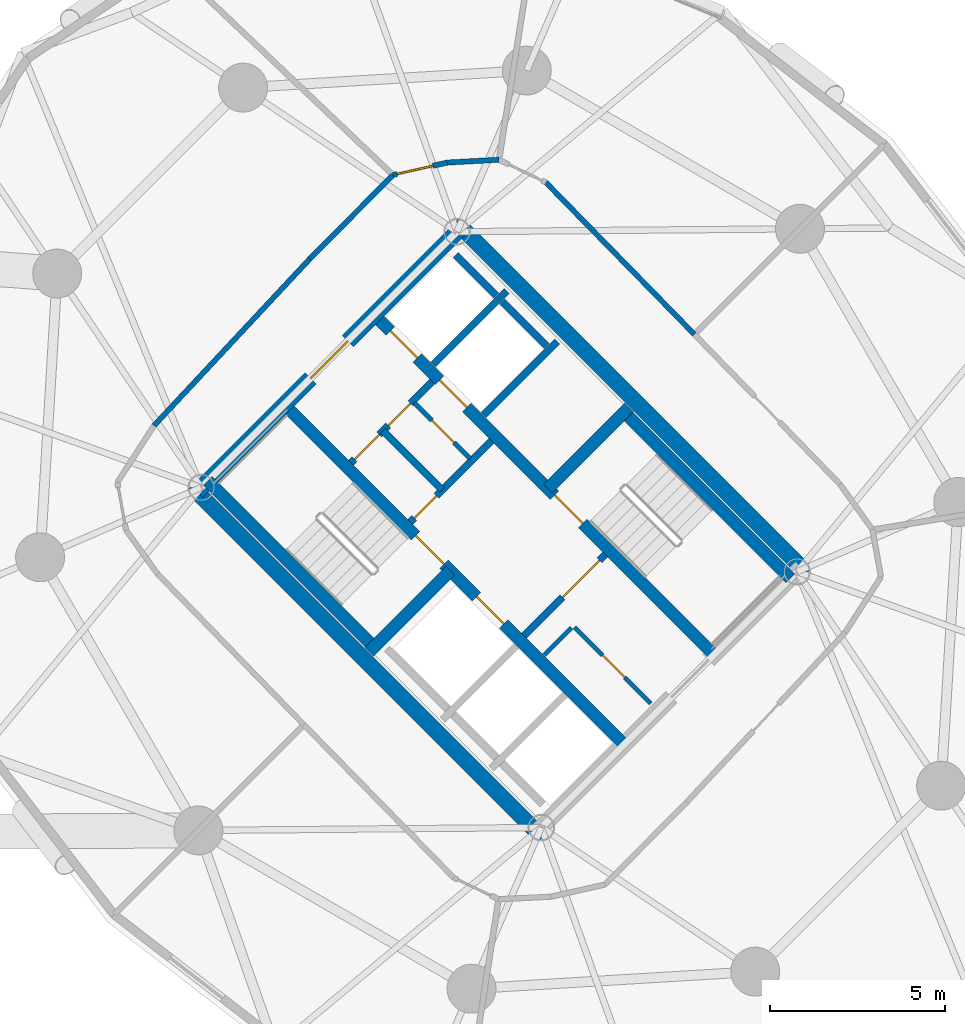
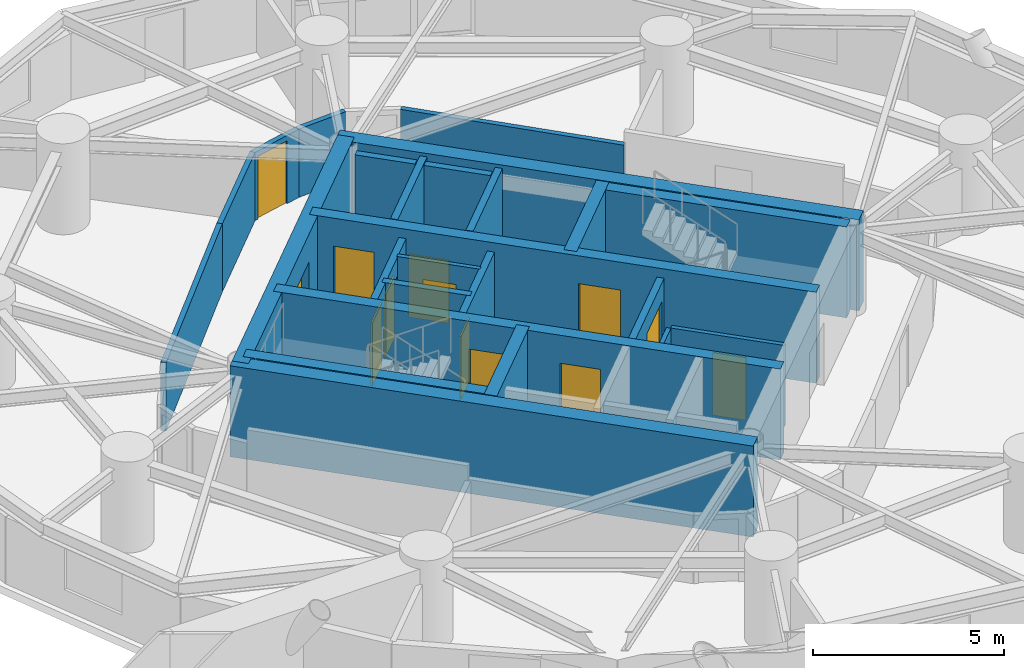
# One storey, part 13 of 18: 25 walls, 13 doors, 13 openings.
"""IFC4 building model written with IfcOpenShell, lengths in metres."""

import ifcopenshell
import ifcopenshell.guid

model = None  # the IFC model being written
_history = None  # IfcOwnerHistory: only IFC2X3 demands one
_inside = {}  # id of a spatial element -> (the spatial element, [elements in it])
_under = {}  # id of a project, library or spatial element -> (it, [spatial elements below it])
_declared = {}  # id of a project -> (the project, [libraries it declares])
_typed = {}  # id of a type object -> (the type object, [elements of that type])
_made_of = {}  # id of a material, layer set ... -> (it, [elements and type objects made of it])


def new_model(schema):
    """Start an empty IFC model of exactly this schema.

    Asked for "IFC4X3", IfcOpenShell would pick the latest addendum, in which some entities
    have other attributes; the version numbers below select the first issue.
    IFC2X3 requires an IfcOwnerHistory on every rooted entity: one is made here for all.
    """
    global model, _history
    if schema == "IFC4X3":
        model = ifcopenshell.file(schema_version=(4, 3, 0, 0))
    else:
        model = ifcopenshell.file(schema=schema)
    _inside.clear()
    _under.clear()
    _declared.clear()
    _typed.clear()
    _made_of.clear()
    _history = None
    if model.schema == "IFC2X3":
        org = make("IfcOrganization", Name="unknown")
        user = make(
            "IfcPersonAndOrganization",
            ThePerson=make("IfcPerson", FamilyName="unknown"),
            TheOrganization=org,
        )
        app = make(
            "IfcApplication",
            ApplicationDeveloper=org,
            Version="unknown",
            ApplicationFullName="unknown",
            ApplicationIdentifier="unknown",
        )
        _history = make(
            "IfcOwnerHistory",
            OwningUser=user,
            OwningApplication=app,
            ChangeAction="ADDED",
            CreationDate=0,
        )
    return model


def make(cls, **values):
    """One entity of the class cls with the attributes given. An attribute that is None is left unset."""
    return model.create_entity(
        cls, **{name: value for name, value in values.items() if value is not None}
    )


def rooted(cls, **values):
    """An entity with a GlobalId (a new one), such as an element, a storey or a relation."""
    return make(cls, GlobalId=ifcopenshell.guid.new(), OwnerHistory=_history, **values)


def si_unit(unit_type, name, prefix=None):
    """IfcSIUnit, for example si_unit("LENGTHUNIT", "METRE", prefix="MILLI")."""
    return make("IfcSIUnit", UnitType=unit_type, Prefix=prefix, Name=name)


def assignment(units):
    """IfcUnitAssignment: the units of a project."""
    return None if units is None else make("IfcUnitAssignment", Units=units)


def point(xyz):
    """IfcCartesianPoint."""
    return None if xyz is None else make("IfcCartesianPoint", Coordinates=xyz)


def direction(xyz):
    """IfcDirection."""
    return None if xyz is None else make("IfcDirection", DirectionRatios=xyz)


def frame(location, z_axis=None, x_axis=None):
    """IfcAxis2Placement3D, a coordinate frame: its origin and axes. An axis left out is left unset."""
    return make(
        "IfcAxis2Placement3D",
        Location=point(location),
        Axis=direction(z_axis),
        RefDirection=direction(x_axis),
    )


def frame_2d(location, x_axis=None):
    """IfcAxis2Placement2D, a coordinate frame in the plane: its origin and x axis."""
    return make(
        "IfcAxis2Placement2D", Location=point(location), RefDirection=direction(x_axis)
    )


def origin():
    """The frame at (0, 0, 0) with its axes left unset."""
    return frame((0.0, 0.0, 0.0))


def place(relative_to, where):
    """IfcLocalPlacement: puts the frame where relative to a parent placement (None: the world)."""
    return make(
        "IfcLocalPlacement", PlacementRelTo=relative_to, RelativePlacement=where
    )


def context(
    kind, dimensions, precision=None, world=None, true_north=None, identifier=None
):
    """IfcGeometricRepresentationContext, for example the 3D "Model" context."""
    return make(
        "IfcGeometricRepresentationContext",
        ContextIdentifier=identifier,
        ContextType=kind,
        CoordinateSpaceDimension=dimensions,
        Precision=precision,
        WorldCoordinateSystem=world,
        TrueNorth=true_north,
    )


def subcontext(parent, identifier, kind, view, scale=None):
    """IfcGeometricRepresentationSubContext, for example "Body" below "Model"."""
    return make(
        "IfcGeometricRepresentationSubContext",
        ContextIdentifier=identifier,
        ContextType=kind,
        ParentContext=parent,
        TargetScale=scale,
        TargetView=view,
    )


def project(units=None, contexts=None):
    """IfcProject with its units and contexts."""
    return rooted(
        "IfcProject",
        Name="project",
        RepresentationContexts=contexts,
        UnitsInContext=assignment(units),
    )


def spatial(cls, under=None, at=None, **own):
    """A site, building, storey or space (cls), placed at a placement, below another one or the project."""
    s = rooted(cls, ObjectPlacement=at, **own)
    if under is not None:
        _under.setdefault(under.id(), (under, []))[1].append(s)
    return s


def profile(cls, at=None, kind="AREA", **sizes):
    """A parametric profile (cls). Its sizes go by their IFC names, for example OverallWidth=200.0."""
    return make(cls, ProfileType=kind, Position=at, **sizes)


def rectangle(**sizes):
    """IfcRectangleProfileDef."""
    return profile("IfcRectangleProfileDef", **sizes)


def extrude(swept, where, along, depth):
    """IfcExtrudedAreaSolid: the profile swept, set in the frame where, extruded along a direction by depth."""
    return make(
        "IfcExtrudedAreaSolid",
        SweptArea=swept,
        Position=where,
        ExtrudedDirection=direction(along),
        Depth=depth,
    )


def shape(context_of_items, identifier, shape_type, items):
    """IfcShapeRepresentation: the items that make up one representation, for example the "Body"."""
    return make(
        "IfcShapeRepresentation",
        ContextOfItems=context_of_items,
        RepresentationIdentifier=identifier,
        RepresentationType=shape_type,
        Items=items,
    )


def source(mapping_origin, context_of_items, identifier, shape_type, items):
    """IfcRepresentationMap: a shape defined once, which mapped items show again and again."""
    return make(
        "IfcRepresentationMap",
        MappingOrigin=mapping_origin,
        MappedRepresentation=shape(context_of_items, identifier, shape_type, items),
    )


def transform(
    local_origin,
    x_axis=None,
    y_axis=None,
    z_axis=None,
    scale=None,
    scale2=None,
    scale3=None,
    uniform=True,
):
    """IfcCartesianTransformationOperator3D, or its non-uniform kind. x_axis, y_axis, z_axis: its Axis1, 2, 3."""
    if uniform:
        return make(
            "IfcCartesianTransformationOperator3D",
            Axis1=direction(x_axis),
            Axis2=direction(y_axis),
            LocalOrigin=point(local_origin),
            Scale=scale,
            Axis3=direction(z_axis),
        )
    return make(
        "IfcCartesianTransformationOperator3DnonUniform",
        Axis1=direction(x_axis),
        Axis2=direction(y_axis),
        LocalOrigin=point(local_origin),
        Scale=scale,
        Axis3=direction(z_axis),
        Scale2=scale2,
        Scale3=scale3,
    )


def mapped(mapping_source, mapping_target):
    """IfcMappedItem: shows the shape of a source again, moved by a transform."""
    return make(
        "IfcMappedItem", MappingSource=mapping_source, MappingTarget=mapping_target
    )


def material(Name=None, Category=None):
    """IfcMaterial."""
    return make("IfcMaterial", Name=Name, Category=Category)


def layer(
    of_material, thickness, ventilated=None, Name=None, Category=None, Priority=None
):
    """IfcMaterialLayer: one layer of a wall or slab, of a material (None: an air gap)."""
    return make(
        "IfcMaterialLayer",
        Material=of_material,
        LayerThickness=thickness,
        IsVentilated=ventilated,
        Name=Name,
        Category=Category,
        Priority=Priority,
    )


def layer_set(layers, Name=None):
    """IfcMaterialLayerSet."""
    return make("IfcMaterialLayerSet", MaterialLayers=layers, LayerSetName=Name)


def made_of(thing, what):
    """Note that an element or type object is made of a material, layer set ...; save() writes the relation."""
    if what is not None:
        _made_of.setdefault(what.id(), (what, []))[1].append(thing)
    return thing


def type_object(cls, material=None, **own):
    """A type object (cls), such as IfcWallType, which elements share."""
    return made_of(rooted(cls, **own), material)


def element(
    cls,
    number,
    at=None,
    inside=None,
    cuts=None,
    type_object=None,
    material=None,
    context=None,
    identifier="Body",
    shape_type=None,
    held_by="IfcProductDefinitionShape",
    body=None,
    shapes=None,
    **own,
):
    """One element of the class cls, such as IfcWall. Its Tag is "e" and its number.

    at: its placement. inside: the storey or other place that contains it. cuts: it is an
    opening in that element (IfcRelVoidsElement). A single representation is given by context,
    identifier, shape_type and body (its items); several are given by shapes. held_by: the class
    of the entity that holds the representations. save() writes the other relations.
    """
    e = rooted(cls, Tag="e%d" % number, ObjectPlacement=at, **own)
    if body is not None:
        shapes = [shape(context, identifier, shape_type, body)]
    if shapes is not None:
        e.Representation = make(held_by, Representations=shapes)
    if inside is not None:
        _inside.setdefault(inside.id(), (inside, []))[1].append(e)
    if cuts is not None:
        rooted(
            "IfcRelVoidsElement", RelatingBuildingElement=cuts, RelatedOpeningElement=e
        )
    if type_object is not None:
        _typed.setdefault(type_object.id(), (type_object, []))[1].append(e)
    return made_of(e, material)


def fill(opening, filler):
    """IfcRelFillsElement: the door or window that sits in an opening."""
    return rooted(
        "IfcRelFillsElement",
        RelatingOpeningElement=opening,
        RelatedBuildingElement=filler,
    )


def aggregate(whole, parts):
    """IfcRelAggregates: a whole, such as a stair, and the parts it consists of."""
    return rooted("IfcRelAggregates", RelatingObject=whole, RelatedObjects=parts)


def save(model, path):
    """Write the relations noted so far, then the file.

    IfcRelAggregates (storeys below a building ...), IfcRelContainedInSpatialStructure (elements
    in a storey), IfcRelDefinesByType, IfcRelAssociatesMaterial and IfcRelDeclares: one each for
    every whole, place, type object, material and project.
    """
    for whole, parts in _under.values():
        aggregate(whole, parts)
    for where, things in _inside.values():
        rooted(
            "IfcRelContainedInSpatialStructure",
            RelatedElements=things,
            RelatingStructure=where,
        )
    for kind, things in _typed.values():
        rooted("IfcRelDefinesByType", RelatedObjects=things, RelatingType=kind)
    for what, things in _made_of.values():
        rooted("IfcRelAssociatesMaterial", RelatedObjects=things, RelatingMaterial=what)
    for by, libraries in _declared.values():
        rooted("IfcRelDeclares", RelatingContext=by, RelatedDefinitions=libraries)
    model.write(path)


model = new_model("IFC4")

# Units and contexts
model_context = context("Model", 3, precision=1e-05, world=origin(), true_north=direction((0.0, 1.0)))
body_context = subcontext(model_context, "Body", "Model", "MODEL_VIEW")
ifc_project = project(units=[si_unit("LENGTHUNIT", "METRE"), si_unit("AREAUNIT", "SQUARE_METRE"), si_unit("VOLUMEUNIT", "CUBIC_METRE"), si_unit("PLANEANGLEUNIT", "RADIAN"), si_unit("MASSUNIT", "GRAM", prefix="KILO")], contexts=[model_context])

# Site, building, storey
site_placement = place(None, origin())
site = spatial("IfcSite", under=ifc_project, at=site_placement, CompositionType="ELEMENT")
building_placement = place(site_placement, origin())
building = spatial("IfcBuilding", under=site, at=building_placement, Name="Cununo Teusaquillo Station Towers", CompositionType="ELEMENT")
storey_placement = place(building_placement, frame((0.0, 0.0, 122.530029296875)))
storey = spatial("IfcBuildingStorey", under=building, at=storey_placement, Name="L39", CompositionType="ELEMENT", Elevation=122.530029296875)

# Walls
ifc_material_1 = material(Name="Concrete C50/60", Category="concrete")
ifc_layer_1 = layer(ifc_material_1, 0.199951171875)
ifc_layer_set_1 = layer_set([ifc_layer_1], Name="Concrete C50/60")
wall_type_1 = type_object("IfcWallType", Name="WL-CORE-200", PredefinedType="SHEAR", material=ifc_layer_set_1)
wall_1_placement = place(storey_placement, frame((57.0615234375, 27.781005859375, 0.0), z_axis=(0.0, 0.0, 1.0), x_axis=(0.707106781187, 0.707106781187, 0.0)))
element("IfcWall", 1, at=wall_1_placement, inside=storey, type_object=wall_type_1, Name="L39 Tower B Low-Rise Lift Hoistway South Shear Wall", PredefinedType="SHEAR", context=body_context, shape_type="SweptSolid", body=[
    extrude(rectangle(XDim=2.969970703125, YDim=0.199951171875, at=frame_2d((1.48486328125, 0.0))), origin(), (0.0, 0.0, 1.0), 2.909912109375),
])
wall_2_placement = place(storey_placement, frame((55.615478515625, 29.22705078125, 0.0), z_axis=(0.0, 0.0, 1.0), x_axis=(0.707147878904, 0.70706568108, 0.0)))
element("IfcWall", 2, at=wall_2_placement, inside=storey, type_object=wall_type_1, Name="L39 Tower B Low-Rise Lift Hoistway Divider Shear Wall", PredefinedType="SHEAR", context=body_context, shape_type="SweptSolid", body=[
    extrude(rectangle(XDim=2.97021484375, YDim=0.199951171875, at=frame_2d((1.485107421875, 0.0))), origin(), (0.0, 0.0, 1.0), 2.909912109375),
])
wall_3_placement = place(storey_placement, frame((58.86474609375, 29.75390625, 0.0), z_axis=(0.0, 0.0, 1.0), x_axis=(-0.707174411312, 0.707039144592, 0.0)))
element("IfcWall", 3, at=wall_3_placement, inside=storey, type_object=wall_type_1, Name="L39 Tower B Low-Rise Lift 1 Shaft Rear Shear Wall", PredefinedType="SHEAR", context=body_context, shape_type="SweptSolid", body=[
    extrude(rectangle(XDim=1.804931640625, YDim=0.199951171875, at=frame_2d((0.90234375, 0.0))), origin(), (0.0, 0.0, 1.0), 2.909912109375),
])
wall_4_placement = place(storey_placement, frame((57.418701171875, 31.19970703125, 0.0), z_axis=(0.0, 0.0, 1.0), x_axis=(-0.707032117043, 0.707181437447, 0.0)))
element("IfcWall", 4, at=wall_4_placement, inside=storey, type_object=wall_type_1, Name="L39 Tower B Low-Rise Lift 2 Shaft Rear Shear Wall", PredefinedType="SHEAR", context=body_context, shape_type="SweptSolid", body=[
    extrude(rectangle(XDim=1.635009765625, YDim=0.199951171875, at=frame_2d((0.8173828125, 0.0))), origin(), (0.0, 0.0, 1.0), 2.909912109375),
])

# Wall, openings, doors
ifc_material_2 = material(Name="Concrete C50/60", Category="concrete")
ifc_layer_2 = layer(ifc_material_2, 0.35009765625)
ifc_layer_set_2 = layer_set([ifc_layer_2], Name="Concrete C50/60")
wall_type_2 = type_object("IfcWallType", Name="WL-CORE-350", PredefinedType="SHEAR", material=ifc_layer_set_2)
wall_5_placement = place(storey_placement, frame((61.077880859375, 18.355224609375, 0.0), z_axis=(0.0, 0.0, 1.0), x_axis=(-0.707106781187, 0.707106781187, 0.0)))
wall_5 = element("IfcWall", 5, at=wall_5_placement, inside=storey, type_object=wall_type_2, Name="L39 Tower B Core Shear Wall IW", PredefinedType="SHEAR", context=body_context, shape_type="SweptSolid", body=[
    extrude(rectangle(XDim=13.75, YDim=0.35009765625, at=frame_2d((6.875, 0.0))), origin(), (0.0, 0.0, 1.0), 2.909912109375),
])
shared_shape_1 = source(origin(), body_context, "Body", "SweptSolid", [
    extrude(rectangle(XDim=1.10009765625, YDim=2.014892578125, at=frame_2d((0.550048828125, 1.00732421875))), frame((0.0, 0.18505859375, 0.0), z_axis=(0.0, -1.0, 0.0), x_axis=(1.0, 0.0, 0.0)), (0.0, 0.0, 1.0), 0.3701171875),
])
opening_1_placement = place(wall_5_placement, frame((4.875, 0.0, 0.0)))
opening_1 = element("IfcOpeningElement", 6, at=opening_1_placement, cuts=wall_5, Name="Opening LD-01", PredefinedType="OPENING", context=body_context, shape_type="MappedRepresentation", body=[
    mapped(shared_shape_1, transform((0.0, 0.0, 0.0), x_axis=(1.0, 0.0, 0.0), y_axis=(0.0, 1.0, 0.0), z_axis=(0.0, 0.0, 1.0), scale=1.0)),
])
shared_shape_2 = source(origin(), body_context, "Body", "SweptSolid", [
    extrude(rectangle(XDim=1.14990234375, YDim=2.02001953125, at=frame_2d((0.574951171875, 1.010009765625))), frame((0.0, 0.18505859375, 0.0), z_axis=(0.0, -1.0, 0.0), x_axis=(1.0, 0.0, 0.0)), (0.0, 0.0, 1.0), 0.3701171875),
])
opening_2_placement = place(wall_5_placement, frame((7.294921875, 0.0, 0.0)))
opening_2 = element("IfcOpeningElement", 7, at=opening_2_placement, cuts=wall_5, Name="Opening D-ST1", PredefinedType="OPENING", context=body_context, shape_type="MappedRepresentation", body=[
    mapped(shared_shape_2, transform((0.0, 0.0, 0.0), x_axis=(1.0, 0.0, 0.0), y_axis=(0.0, 1.0, 0.0), z_axis=(0.0, 0.0, 1.0), scale=1.0)),
])
ifc_material_3 = material(Name="Galvanised fire-rated hollow steel door assembly", Category="steel")
door_type_1 = type_object("IfcDoorType", Name="DR-LIFT-1100", OperationType="SLIDING_TO_LEFT", PredefinedType="DOOR", material=ifc_material_3)
shared_shape_3 = source(origin(), body_context, "Body", "SweptSolid", [
    extrude(rectangle(XDim=1.10009765625, YDim=2.014892578125, at=frame_2d((0.550048828125, 1.00732421875))), frame((0.0, 0.02490234375, 0.0), z_axis=(0.0, -1.0, 0.0), x_axis=(1.0, 0.0, 0.0)), (0.0, 0.0, 1.0), 0.050048828125),
])
door_1_placement = place(opening_1_placement, origin())
door_1 = element("IfcDoor", 8, at=door_1_placement, inside=storey, type_object=door_type_1, Name="L39 Lift FL-T2 Sliding Landing Door", OperationType="SLIDING_TO_LEFT", OverallHeight=2.014892578125, OverallWidth=1.10009765625, PredefinedType="DOOR", context=body_context, shape_type="MappedRepresentation", body=[
    mapped(shared_shape_3, transform((0.0, 0.0, 0.0), x_axis=(1.0, 0.0, 0.0), y_axis=(0.0, 1.0, 0.0), z_axis=(0.0, 0.0, 1.0), scale=1.0)),
])
fill(opening_1, door_1)
ifc_material_4 = material(Name="Galvanised fire-rated hollow steel door assembly", Category="steel")
door_type_2 = type_object("IfcDoorType", Name="DR-STAIR-1150", OperationType="NOTDEFINED", PredefinedType="DOOR", material=ifc_material_4)
shared_shape_4 = source(origin(), body_context, "Body", "SweptSolid", [
    extrude(rectangle(XDim=1.14990234375, YDim=2.02001953125, at=frame_2d((0.574951171875, 1.010009765625))), frame((0.0, 0.02490234375, 0.0), z_axis=(0.0, -1.0, 0.0), x_axis=(1.0, 0.0, 0.0)), (0.0, 0.0, 1.0), 0.050048828125),
])
door_2_placement = place(opening_2_placement, origin())
door_2 = element("IfcDoor", 9, at=door_2_placement, inside=storey, type_object=door_type_2, Name="L39 Tower B Exit Stair 1 Fire Door", OperationType="SINGLE_SWING_LEFT", OverallHeight=2.02001953125, OverallWidth=1.14990234375, PredefinedType="DOOR", context=body_context, shape_type="MappedRepresentation", body=[
    mapped(shared_shape_4, transform((0.0, 0.0, 0.0), x_axis=(1.0, 0.0, 0.0), y_axis=(0.0, 1.0, 0.0), z_axis=(0.0, 0.0, 1.0), scale=1.0)),
])
fill(opening_2, door_2)

wall_6_placement = place(storey_placement, frame((63.644775390625, 20.922119140625, 0.0), z_axis=(0.0, 0.0, 1.0), x_axis=(-0.707106781187, 0.707106781187, 0.0)))
wall_6 = element("IfcWall", 10, at=wall_6_placement, inside=storey, type_object=wall_type_2, Name="L39 Tower B Core Shear Wall IE", PredefinedType="SHEAR", context=body_context, shape_type="SweptSolid", body=[
    extrude(rectangle(XDim=13.75, YDim=0.35009765625, at=frame_2d((6.875, 0.0))), origin(), (0.0, 0.0, 1.0), 2.909912109375),
])
opening_3_placement = place(wall_6_placement, frame((10.0, 0.0, 0.0)))
opening_3 = element("IfcOpeningElement", 11, at=opening_3_placement, cuts=wall_6, Name="Opening LD-01", PredefinedType="OPENING", context=body_context, shape_type="MappedRepresentation", body=[
    mapped(shared_shape_1, transform((0.0, 0.0, 0.0), x_axis=(1.0, 0.0, 0.0), y_axis=(0.0, 1.0, 0.0), z_axis=(0.0, 0.0, 1.0), scale=1.0)),
])
opening_4_placement = place(wall_6_placement, frame((12.0, 0.0, 0.0)))
opening_4 = element("IfcOpeningElement", 12, at=opening_4_placement, cuts=wall_6, Name="Opening LD-01", PredefinedType="OPENING", context=body_context, shape_type="MappedRepresentation", body=[
    mapped(shared_shape_1, transform((0.0, 0.0, 0.0), x_axis=(1.0, 0.0, 0.0), y_axis=(0.0, 1.0, 0.0), z_axis=(0.0, 0.0, 1.0), scale=1.0)),
])
opening_5_placement = place(wall_6_placement, frame((5.304931640625, 0.0, 0.0)))
opening_5 = element("IfcOpeningElement", 13, at=opening_5_placement, cuts=wall_6, Name="Opening D-ST1", PredefinedType="OPENING", context=body_context, shape_type="MappedRepresentation", body=[
    mapped(shared_shape_2, transform((0.0, 0.0, 0.0), x_axis=(1.0, 0.0, 0.0), y_axis=(0.0, 1.0, 0.0), z_axis=(0.0, 0.0, 1.0), scale=1.0)),
])
door_3_placement = place(opening_3_placement, origin())
door_3 = element("IfcDoor", 14, at=door_3_placement, inside=storey, type_object=door_type_1, Name="L39 Lift PL-T2-L1 Sliding Landing Door", OperationType="SLIDING_TO_LEFT", OverallHeight=2.014892578125, OverallWidth=1.10009765625, PredefinedType="DOOR", context=body_context, shape_type="MappedRepresentation", body=[
    mapped(shared_shape_3, transform((0.0, 0.0, 0.0), x_axis=(1.0, 0.0, 0.0), y_axis=(0.0, 1.0, 0.0), z_axis=(0.0, 0.0, 1.0), scale=1.0)),
])
fill(opening_3, door_3)
door_4_placement = place(opening_4_placement, origin())
door_4 = element("IfcDoor", 15, at=door_4_placement, inside=storey, type_object=door_type_1, Name="L39 Lift PL-T2-L2 Sliding Landing Door", OperationType="SLIDING_TO_RIGHT", OverallHeight=2.014892578125, OverallWidth=1.10009765625, PredefinedType="DOOR", context=body_context, shape_type="MappedRepresentation", body=[
    mapped(shared_shape_3, transform((0.0, 0.0, 0.0), x_axis=(1.0, 0.0, 0.0), y_axis=(0.0, 1.0, 0.0), z_axis=(0.0, 0.0, 1.0), scale=1.0)),
])
fill(opening_4, door_4)
door_5_placement = place(opening_5_placement, origin())
door_5 = element("IfcDoor", 16, at=door_5_placement, inside=storey, type_object=door_type_2, Name="L39 Tower B Exit Stair 2 Fire Door", OperationType="SINGLE_SWING_RIGHT", OverallHeight=2.02001953125, OverallWidth=1.14990234375, PredefinedType="DOOR", context=body_context, shape_type="MappedRepresentation", body=[
    mapped(shared_shape_4, transform((0.0, 0.0, 0.0), x_axis=(1.0, 0.0, 0.0), y_axis=(0.0, 1.0, 0.0), z_axis=(0.0, 0.0, 1.0), scale=1.0)),
])
fill(opening_5, door_5)

# Walls
wall_7_placement = place(storey_placement, frame((53.922119140625, 21.14111328125, 0.0), z_axis=(0.0, 0.0, 1.0), x_axis=(-0.707088616009, 0.707124945897, 0.0)))
element("IfcWall", 17, at=wall_7_placement, inside=storey, type_object=wall_type_2, Name="L39 Tower B Core Shear Wall ST1W", PredefinedType="SHEAR", context=body_context, shape_type="SweptSolid", body=[
    extrude(rectangle(XDim=6.72021484375, YDim=0.35009765625, at=frame_2d((3.360107421875, 0.0))), origin(), (0.0, 0.0, 1.0), 2.909912109375),
])
wall_8_placement = place(storey_placement, frame((53.7841796875, 21.00341796875, 0.0), z_axis=(0.0, 0.0, 1.0), x_axis=(0.707106781187, 0.707106781187, 0.0)))
element("IfcWall", 18, at=wall_8_placement, inside=storey, type_object=wall_type_2, Name="L39 Tower B Core Shear Wall ST1S", PredefinedType="SHEAR", context=body_context, shape_type="SweptSolid", body=[
    extrude(rectangle(XDim=3.284912109375, YDim=0.35009765625, at=frame_2d((1.642578125, 0.0))), origin(), (0.0, 0.0, 1.0), 2.909912109375),
])
wall_9_placement = place(storey_placement, frame((65.82958984375, 23.10693359375, 0.0), z_axis=(0.0, 0.0, 1.0), x_axis=(-0.707088616009, 0.707124945897, 0.0)))
element("IfcWall", 19, at=wall_9_placement, inside=storey, type_object=wall_type_2, Name="L39 Tower B Core Shear Wall ST2E", PredefinedType="SHEAR", context=body_context, shape_type="SweptSolid", body=[
    extrude(rectangle(XDim=6.72021484375, YDim=0.35009765625, at=frame_2d((3.360107421875, 0.0))), origin(), (0.0, 0.0, 1.0), 2.909912109375),
])
wall_10_placement = place(storey_placement, frame((58.89306640625, 25.673828125, 0.0), z_axis=(0.0, 0.0, 1.0), x_axis=(0.707106781187, 0.707106781187, 0.0)))
element("IfcWall", 20, at=wall_10_placement, inside=storey, type_object=wall_type_2, Name="L39 Tower B Core Shear Wall ST2N", PredefinedType="SHEAR", context=body_context, shape_type="SweptSolid", body=[
    extrude(rectangle(XDim=3.284912109375, YDim=0.35009765625, at=frame_2d((1.642578125, 0.0))), origin(), (0.0, 0.0, 1.0), 2.909912109375),
])
ifc_material_5 = material(Name="Concrete C60/75", Category="concrete")
ifc_layer_3 = layer(ifc_material_5, 0.449951171875)
ifc_layer_set_3 = layer_set([ifc_layer_3], Name="Concrete C60/75")
wall_type_3 = type_object("IfcWallType", Name="WL-CORE-450", PredefinedType="SHEAR", material=ifc_layer_set_3)
for number, where, z_axis, x_axis, name in (
    (21, (58.7373046875, 15.696533203125, 0.0), (0.0, 0.0, 1.0), (-0.707106781187, 0.707106781187, 0.0), "L39 Tower B Core Shear Wall W"),
    (22, (66.303466796875, 23.2626953125, 0.0), (0.0, 0.0, 1.0), (-0.707106781187, 0.707106781187, 0.0), "L39 Tower B Core Shear Wall E"),
):
    element("IfcWall", number, at=place(storey_placement, frame(where, z_axis=z_axis, x_axis=x_axis)), inside=storey, type_object=wall_type_3, Name=name, PredefinedType="SHEAR", context=body_context, shape_type="SweptSolid", body=[
        extrude(rectangle(XDim=14.19970703125, YDim=0.449951171875, at=frame_2d((7.099853515625, 0.0))), origin(), (0.0, 0.0, 1.0), 2.909912109375),
    ])

# Wall, opening, door
wall_11_placement = place(storey_placement, frame((48.855712890625, 25.578369140625, 0.0), z_axis=(0.0, 0.0, 1.0), x_axis=(0.707106781187, 0.707106781187, 0.0)))
wall_11 = element("IfcWall", 23, at=wall_11_placement, inside=storey, type_object=wall_type_3, Name="L39 Tower B Core Shear Wall N", PredefinedType="SHEAR", context=body_context, shape_type="SweptSolid", body=[
    extrude(rectangle(XDim=10.69970703125, YDim=0.449951171875, at=frame_2d((5.349853515625, 0.0))), origin(), (0.0, 0.0, 1.0), 2.909912109375),
])
shared_shape_5 = source(origin(), body_context, "Body", "SweptSolid", [
    extrude(rectangle(XDim=1.5, YDim=2.02001953125, at=frame_2d((0.75, 1.010009765625))), frame((0.0, 0.23486328125, 0.0), z_axis=(0.0, -1.0, 0.0), x_axis=(1.0, 0.0, 0.0)), (0.0, 0.0, 1.0), 0.469970703125),
])
opening_6_placement = place(wall_11_placement, frame((4.60009765625, 0.0, 0.0)))
opening_6 = element("IfcOpeningElement", 24, at=opening_6_placement, cuts=wall_11, Name="Opening D-LB1", PredefinedType="OPENING", context=body_context, shape_type="MappedRepresentation", body=[
    mapped(shared_shape_5, transform((0.0, 0.0, 0.0), x_axis=(1.0, 0.0, 0.0), y_axis=(0.0, 1.0, 0.0), z_axis=(0.0, 0.0, 1.0), scale=1.0)),
])
ifc_material_6 = material(Name="Galvanised fire-rated hollow steel door assembly", Category="steel")
door_type_3 = type_object("IfcDoorType", Name="DR-LOBBY-1500", OperationType="DOUBLE_DOOR_SINGLE_SWING", PredefinedType="DOOR", material=ifc_material_6)
shared_shape_6 = source(origin(), body_context, "Body", "SweptSolid", [
    extrude(rectangle(XDim=1.5, YDim=2.02001953125, at=frame_2d((0.75, 1.010009765625))), frame((0.0, 0.02490234375, 0.0), z_axis=(0.0, -1.0, 0.0), x_axis=(1.0, 0.0, 0.0)), (0.0, 0.0, 1.0), 0.050048828125),
])
door_6_placement = place(opening_6_placement, origin())
door_6 = element("IfcDoor", 25, at=door_6_placement, inside=storey, type_object=door_type_3, Name="L39 Tower B North Core Lift Lobby Door", OperationType="DOUBLE_DOOR_SINGLE_SWING", OverallHeight=2.02001953125, OverallWidth=1.5, PredefinedType="DOOR", context=body_context, shape_type="MappedRepresentation", body=[
    mapped(shared_shape_6, transform((0.0, 0.0, 0.0), x_axis=(1.0, 0.0, 0.0), y_axis=(0.0, 1.0, 0.0), z_axis=(0.0, 0.0, 1.0), scale=1.0)),
])
fill(opening_6, door_6)

ifc_material_7 = material(Name="Fire-rated gypsum plasterboard partition assembly", Category="gypsum")
ifc_layer_4 = layer(ifc_material_7, 0.125)
ifc_layer_set_4 = layer_set([ifc_layer_4], Name="Fire-rated gypsum plasterboard partition assembly")
wall_type_4 = type_object("IfcWallType", Name="WL-PART-125", PredefinedType="PARTITIONING", material=ifc_layer_set_4)
wall_12_placement = place(storey_placement, frame((61.834716796875, 19.529052734375, 0.0), z_axis=(0.0, 0.0, 1.0), x_axis=(-0.707146413884, 0.707067146267, 0.0)))
wall_12 = element("IfcWall", 26, at=wall_12_placement, inside=storey, type_object=wall_type_4, Name="L39 Tower B South-West Tall Store East Wall", PredefinedType="PARTITIONING", context=body_context, shape_type="SweptSolid", body=[
    extrude(rectangle(XDim=3.079833984375, YDim=0.125, at=frame_2d((1.5400390625, 0.0))), origin(), (0.0, 0.0, 1.0), 2.614990234375),
])
shared_shape_7 = source(origin(), body_context, "Body", "SweptSolid", [
    extrude(rectangle(XDim=0.89990234375, YDim=2.0048828125, at=frame_2d((0.449951171875, 1.00244140625))), frame((0.0, 0.072509765625, 0.0), z_axis=(0.0, -1.0, 0.0), x_axis=(1.0, 0.0, 0.0)), (0.0, 0.0, 1.0), 0.14501953125),
])
opening_7_placement = place(wall_12_placement, frame((1.050048828125, 0.0, 0.0)))
opening_7 = element("IfcOpeningElement", 27, at=opening_7_placement, cuts=wall_12, Name="Opening D-SR1", PredefinedType="OPENING", context=body_context, shape_type="MappedRepresentation", body=[
    mapped(shared_shape_7, transform((0.0, 0.0, 0.0), x_axis=(1.0, 0.0, 0.0), y_axis=(0.0, 1.0, 0.0), z_axis=(0.0, 0.0, 1.0), scale=1.0)),
])
ifc_material_8 = material(Name="Galvanised fire-rated hollow steel door assembly", Category="steel")
door_type_4 = type_object("IfcDoorType", Name="DR-STORE-900", OperationType="NOTDEFINED", PredefinedType="DOOR", material=ifc_material_8)
shared_shape_8 = source(origin(), body_context, "Body", "SweptSolid", [
    extrude(rectangle(XDim=0.89990234375, YDim=2.0048828125, at=frame_2d((0.449951171875, 1.00244140625))), frame((0.0, 0.02490234375, 0.0), z_axis=(0.0, -1.0, 0.0), x_axis=(1.0, 0.0, 0.0)), (0.0, 0.0, 1.0), 0.050048828125),
])
door_7_placement = place(opening_7_placement, origin())
door_7 = element("IfcDoor", 28, at=door_7_placement, inside=storey, type_object=door_type_4, Name="L39 Tower B South Cleaners Store Door", OperationType="SINGLE_SWING_LEFT", OverallHeight=2.0048828125, OverallWidth=0.89990234375, PredefinedType="DOOR", context=body_context, shape_type="MappedRepresentation", body=[
    mapped(shared_shape_8, transform((0.0, 0.0, 0.0), x_axis=(1.0, 0.0, 0.0), y_axis=(0.0, 1.0, 0.0), z_axis=(0.0, 0.0, 1.0), scale=1.0)),
])
fill(opening_7, door_7)

# Wall
wall_13_placement = place(storey_placement, frame((58.7939453125, 20.9150390625, 0.0), z_axis=(0.0, 0.0, 1.0), x_axis=(0.707106781187, 0.707106781187, 0.0)))
element("IfcWall", 29, at=wall_13_placement, inside=storey, type_object=wall_type_4, Name="L39 Tower B South-West Tall Store North Wall", PredefinedType="PARTITIONING", context=body_context, shape_type="SweptSolid", body=[
    extrude(rectangle(XDim=1.10009765625, YDim=0.125, at=frame_2d((0.550048828125, 0.0))), origin(), (0.0, 0.0, 1.0), 2.614990234375),
])

# Wall, opening, door
wall_14_placement = place(storey_placement, frame((56.672607421875, 26.529296875, 0.0), z_axis=(0.0, 0.0, 1.0), x_axis=(-0.707052764397, 0.70716079385, 0.0)))
wall_14 = element("IfcWall", 30, at=wall_14_placement, inside=storey, type_object=wall_type_4, Name="L39 Tower B Core Vertical Split Wall", PredefinedType="PARTITIONING", context=body_context, shape_type="SweptSolid", body=[
    extrude(rectangle(XDim=2.260009765625, YDim=0.125, at=frame_2d((1.1298828125, 0.0))), origin(), (0.0, 0.0, 1.0), 2.614990234375),
])
opening_8_placement = place(wall_14_placement, frame((0.64990234375, 0.0, 0.0)))
opening_8 = element("IfcOpeningElement", 31, at=opening_8_placement, cuts=wall_14, Name="Opening D-SR1", PredefinedType="OPENING", context=body_context, shape_type="MappedRepresentation", body=[
    mapped(shared_shape_7, transform((0.0, 0.0, 0.0), x_axis=(1.0, 0.0, 0.0), y_axis=(0.0, 1.0, 0.0), z_axis=(0.0, 0.0, 1.0), scale=1.0)),
])
door_8_placement = place(opening_8_placement, origin())
door_8 = element("IfcDoor", 32, at=door_8_placement, inside=storey, type_object=door_type_4, Name="L39 Tower B Core Electrical Room Door", OperationType="SINGLE_SWING_LEFT", OverallHeight=2.0048828125, OverallWidth=0.89990234375, PredefinedType="DOOR", context=body_context, shape_type="MappedRepresentation", body=[
    mapped(shared_shape_8, transform((0.0, 0.0, 0.0), x_axis=(1.0, 0.0, 0.0), y_axis=(0.0, 1.0, 0.0), z_axis=(0.0, 0.0, 1.0), scale=1.0)),
])
fill(opening_8, door_8)

# Walls
ifc_material_9 = material(Name="Fire-rated gypsum plasterboard partition assembly", Category="gypsum")
ifc_layer_5 = layer(ifc_material_9, 0.14990234375)
ifc_layer_set_5 = layer_set([ifc_layer_5], Name="Fire-rated gypsum plasterboard partition assembly")
wall_type_5 = type_object("IfcWallType", Name="WL-PART-150", PredefinedType="PARTITIONING", material=ifc_layer_set_5)
wall_15_placement = place(storey_placement, frame((63.086181640625, 30.086181640625, 0.0), z_axis=(0.0, 0.0, 1.0), x_axis=(-0.699032802832, 0.715089603172, 0.0)))
element("IfcWall", 33, at=wall_15_placement, inside=storey, type_object=wall_type_5, Name="L39 Tower B Corridor Ring Wall C00", PredefinedType="PARTITIONING", context=body_context, shape_type="SweptSolid", body=[
    extrude(rectangle(XDim=6.08203125, YDim=0.14990234375, at=frame_2d((3.041015625, 0.0))), origin(), (0.0, 0.0, 1.0), 2.18505859375),
])
wall_16_placement = place(storey_placement, frame((57.4951171875, 35.082763671875, 0.0), z_axis=(0.0, 0.0, 1.0), x_axis=(-0.998536503254, -0.054081897798, 0.0)))
element("IfcWall", 34, at=wall_16_placement, inside=storey, type_object=wall_type_5, Name="L39 Tower B Corridor Ring Wall C02", PredefinedType="PARTITIONING", context=body_context, shape_type="SweptSolid", body=[
    extrude(rectangle(XDim=1.480712890625, YDim=0.14990234375, at=frame_2d((0.740234375, 0.0))), origin(), (0.0, 0.0, 1.0), 2.18505859375),
])

# Wall, opening, door
wall_17_placement = place(storey_placement, frame((56.0166015625, 35.002685546875, 0.0), z_axis=(0.0, 0.0, 1.0), x_axis=(-0.974924954781, -0.222533890777, 0.0)))
wall_17 = element("IfcWall", 35, at=wall_17_placement, inside=storey, type_object=wall_type_5, Name="L39 Tower B Corridor Ring Wall C03", PredefinedType="PARTITIONING", context=body_context, shape_type="SweptSolid", body=[
    extrude(rectangle(XDim=1.59521484375, YDim=0.14990234375, at=frame_2d((0.797607421875, 0.0))), origin(), (0.0, 0.0, 1.0), 2.18505859375),
])
shared_shape_9 = source(origin(), body_context, "Body", "SweptSolid", [
    extrude(rectangle(XDim=1.050048828125, YDim=2.014892578125, at=frame_2d((0.52490234375, 1.00732421875))), frame((0.0, 0.0849609375, 0.0), z_axis=(0.0, -1.0, 0.0), x_axis=(1.0, 0.0, 0.0)), (0.0, 0.0, 1.0), 0.169921875),
])
opening_9_placement = place(wall_17_placement, frame((0.425048828125, 0.0, 0.0)))
opening_9 = element("IfcOpeningElement", 36, at=opening_9_placement, cuts=wall_17, Name="Opening D-SU1", PredefinedType="OPENING", context=body_context, shape_type="MappedRepresentation", body=[
    mapped(shared_shape_9, transform((0.0, 0.0, 0.0), x_axis=(1.0, 0.0, 0.0), y_axis=(0.0, 1.0, 0.0), z_axis=(0.0, 0.0, 1.0), scale=1.0)),
])
ifc_material_10 = material(Name="Acoustic solid-core hardwood leaf assembly", Category="wood")
door_type_5 = type_object("IfcDoorType", Name="DR-SUITE-1050", OperationType="NOTDEFINED", PredefinedType="DOOR", material=ifc_material_10)
shared_shape_10 = source(origin(), body_context, "Body", "SweptSolid", [
    extrude(rectangle(XDim=1.050048828125, YDim=2.014892578125, at=frame_2d((0.52490234375, 1.00732421875))), frame((0.0, 0.02490234375, 0.0), z_axis=(0.0, -1.0, 0.0), x_axis=(1.0, 0.0, 0.0)), (0.0, 0.0, 1.0), 0.050048828125),
])
door_9_placement = place(opening_9_placement, origin())
door_9 = element("IfcDoor", 37, at=door_9_placement, inside=storey, type_object=door_type_5, Name="L39 Tower B Andean Urbanism Grand Exhibition Gallery Entrance Door", OperationType="SINGLE_SWING_RIGHT", OverallHeight=2.014892578125, OverallWidth=1.050048828125, PredefinedType="DOOR", context=body_context, shape_type="MappedRepresentation", body=[
    mapped(shared_shape_10, transform((0.0, 0.0, 0.0), x_axis=(1.0, 0.0, 0.0), y_axis=(0.0, 1.0, 0.0), z_axis=(0.0, 0.0, 1.0), scale=1.0)),
])
fill(opening_9, door_9)

# Walls
wall_18_placement = place(storey_placement, frame((54.46142578125, 34.647705078125, 0.0), z_axis=(0.0, 0.0, 1.0), x_axis=(-0.70403409755, -0.710166170334, 0.0)))
element("IfcWall", 38, at=wall_18_placement, inside=storey, type_object=wall_type_5, Name="L39 Tower B Corridor Ring Wall C04", PredefinedType="PARTITIONING", context=body_context, shape_type="SweptSolid", body=[
    extrude(rectangle(XDim=3.38427734375, YDim=0.14990234375, at=frame_2d((1.692138671875, 0.0))), origin(), (0.0, 0.0, 1.0), 2.18505859375),
])
wall_19_placement = place(storey_placement, frame((52.078857421875, 32.244384765625, 0.0), z_axis=(0.0, 0.0, 1.0), x_axis=(-0.682703325574, -0.730695674854, 0.0)))
element("IfcWall", 39, at=wall_19_placement, inside=storey, type_object=wall_type_5, Name="L39 Tower B Corridor Ring Wall C05", PredefinedType="PARTITIONING", context=body_context, shape_type="SweptSolid", body=[
    extrude(rectangle(XDim=6.526611328125, YDim=0.14990234375, at=frame_2d((3.26318359375, 0.0))), origin(), (0.0, 0.0, 1.0), 2.18505859375),
])

# Wall, opening, door
ifc_material_11 = material(Name="Fire-rated gypsum plasterboard partition assembly", Category="gypsum")
ifc_layer_6 = layer(ifc_material_11, 0.199951171875)
ifc_layer_set_6 = layer_set([ifc_layer_6], Name="Fire-rated gypsum plasterboard partition assembly")
wall_type_6 = type_object("IfcWallType", Name="WL-PART-200", PredefinedType="PARTITIONING", material=ifc_layer_set_6)
wall_20_placement = place(storey_placement, frame((58.214111328125, 21.466552734375, 0.0), z_axis=(0.0, 0.0, 1.0), x_axis=(0.707106781187, 0.707106781187, 0.0)))
wall_20 = element("IfcWall", 40, at=wall_20_placement, inside=storey, type_object=wall_type_6, Name="L39 Tower B Firefighting Lift Lobby South Fire Wall", PredefinedType="PARTITIONING", context=body_context, shape_type="SweptSolid", body=[
    extrude(rectangle(XDim=3.280029296875, YDim=0.199951171875, at=frame_2d((1.64013671875, 0.0))), origin(), (0.0, 0.0, 1.0), 2.614990234375),
])
shared_shape_11 = source(origin(), body_context, "Body", "SweptSolid", [
    extrude(rectangle(XDim=1.5, YDim=2.02001953125, at=frame_2d((0.75, 1.010009765625))), frame((0.0, 0.10986328125, 0.0), z_axis=(0.0, -1.0, 0.0), x_axis=(1.0, 0.0, 0.0)), (0.0, 0.0, 1.0), 0.219970703125),
])
opening_10_placement = place(wall_20_placement, frame((1.550048828125, 0.0, 0.0)))
opening_10 = element("IfcOpeningElement", 41, at=opening_10_placement, cuts=wall_20, Name="Opening D-LB1", PredefinedType="OPENING", context=body_context, shape_type="MappedRepresentation", body=[
    mapped(shared_shape_11, transform((0.0, 0.0, 0.0), x_axis=(1.0, 0.0, 0.0), y_axis=(0.0, 1.0, 0.0), z_axis=(0.0, 0.0, 1.0), scale=1.0)),
])
door_10_placement = place(opening_10_placement, origin())
door_10 = element("IfcDoor", 42, at=door_10_placement, inside=storey, type_object=door_type_3, Name="L39 Tower B Firefighting Lift Lobby South Fire Door", OperationType="DOUBLE_DOOR_SINGLE_SWING", OverallHeight=2.02001953125, OverallWidth=1.5, PredefinedType="DOOR", context=body_context, shape_type="MappedRepresentation", body=[
    mapped(shared_shape_6, transform((0.0, 0.0, 0.0), x_axis=(1.0, 0.0, 0.0), y_axis=(0.0, 1.0, 0.0), z_axis=(0.0, 0.0, 1.0), scale=1.0)),
])
fill(opening_10, door_10)

wall_21_placement = place(storey_placement, frame((54.96142578125, 24.71923828125, 0.0), z_axis=(0.0, 0.0, 1.0), x_axis=(0.707106781187, 0.707106781187, 0.0)))
wall_21 = element("IfcWall", 43, at=wall_21_placement, inside=storey, type_object=wall_type_6, Name="L39 Tower B Firefighting Lift Lobby North Fire Wall", PredefinedType="PARTITIONING", context=body_context, shape_type="SweptSolid", body=[
    extrude(rectangle(XDim=3.280029296875, YDim=0.199951171875, at=frame_2d((1.64013671875, 0.0))), origin(), (0.0, 0.0, 1.0), 2.614990234375),
])
shared_shape_12 = source(origin(), body_context, "Body", "SweptSolid", [
    extrude(rectangle(XDim=0.89990234375, YDim=2.0048828125, at=frame_2d((0.449951171875, 1.00244140625))), frame((0.0, 0.10986328125, 0.0), z_axis=(0.0, -1.0, 0.0), x_axis=(1.0, 0.0, 0.0)), (0.0, 0.0, 1.0), 0.219970703125),
])
opening_11_placement = place(wall_21_placement, frame((0.159912109375, 0.0, 0.0)))
opening_11 = element("IfcOpeningElement", 44, at=opening_11_placement, cuts=wall_21, Name="Opening D-SR1", PredefinedType="OPENING", context=body_context, shape_type="MappedRepresentation", body=[
    mapped(shared_shape_12, transform((0.0, 0.0, 0.0), x_axis=(1.0, 0.0, 0.0), y_axis=(0.0, 1.0, 0.0), z_axis=(0.0, 0.0, 1.0), scale=1.0)),
])
door_11_placement = place(opening_11_placement, origin())
door_11 = element("IfcDoor", 45, at=door_11_placement, inside=storey, type_object=door_type_4, Name="L39 Tower B Stair 1 Protected Vestibule South Door", OperationType="SINGLE_SWING_LEFT", OverallHeight=2.0048828125, OverallWidth=0.89990234375, PredefinedType="DOOR", context=body_context, shape_type="MappedRepresentation", body=[
    mapped(shared_shape_8, transform((0.0, 0.0, 0.0), x_axis=(1.0, 0.0, 0.0), y_axis=(0.0, 1.0, 0.0), z_axis=(0.0, 0.0, 1.0), scale=1.0)),
])
fill(opening_11, door_11)

# Wall
wall_22_placement = place(storey_placement, frame((55.873779296875, 25.63134765625, 0.0), z_axis=(0.0, 0.0, 1.0), x_axis=(-0.707157639372, 0.707055919343, 0.0)))
element("IfcWall", 46, at=wall_22_placement, inside=storey, type_object=wall_type_6, Name="L39 Tower B Stair 1 Vestibule Partition Wall", PredefinedType="PARTITIONING", context=body_context, shape_type="SweptSolid", body=[
    extrude(rectangle(XDim=2.400146484375, YDim=0.199951171875, at=frame_2d((1.2001953125, 0.0))), origin(), (0.0, 0.0, 1.0), 2.614990234375),
])

# Wall, openings, doors
wall_23_placement = place(storey_placement, frame((53.264404296875, 26.416259765625, 0.0), z_axis=(0.0, 0.0, 1.0), x_axis=(0.707106781187, 0.707106781187, 0.0)))
wall_23 = element("IfcWall", 47, at=wall_23_placement, inside=storey, type_object=wall_type_6, Name="L39 Tower B North Lift Lobby South Fire Wall", PredefinedType="PARTITIONING", context=body_context, shape_type="SweptSolid", body=[
    extrude(rectangle(XDim=3.280029296875, YDim=0.199951171875, at=frame_2d((1.64013671875, 0.0))), origin(), (0.0, 0.0, 1.0), 2.614990234375),
])
shared_shape_13 = source(origin(), body_context, "Body", "SweptSolid", [
    extrude(rectangle(XDim=1.0, YDim=2.014892578125, at=frame_2d((0.5, 1.00732421875))), frame((0.0, 0.10986328125, 0.0), z_axis=(0.0, -1.0, 0.0), x_axis=(1.0, 0.0, 0.0)), (0.0, 0.0, 1.0), 0.219970703125),
])
opening_12_placement = place(wall_23_placement, frame((0.139892578125, 0.0, 0.0)))
opening_12 = element("IfcOpeningElement", 48, at=opening_12_placement, cuts=wall_23, Name="Opening D-AC1", PredefinedType="OPENING", context=body_context, shape_type="MappedRepresentation", body=[
    mapped(shared_shape_13, transform((0.0, 0.0, 0.0), x_axis=(1.0, 0.0, 0.0), y_axis=(0.0, 1.0, 0.0), z_axis=(0.0, 0.0, 1.0), scale=1.0)),
])
opening_13_placement = place(wall_23_placement, frame((1.5, 0.0, 0.0)))
opening_13 = element("IfcOpeningElement", 49, at=opening_13_placement, cuts=wall_23, Name="Opening D-SR1", PredefinedType="OPENING", context=body_context, shape_type="MappedRepresentation", body=[
    mapped(shared_shape_12, transform((0.0, 0.0, 0.0), x_axis=(1.0, 0.0, 0.0), y_axis=(0.0, 1.0, 0.0), z_axis=(0.0, 0.0, 1.0), scale=1.0)),
])
door_12_placement = place(opening_13_placement, origin())
door_12 = element("IfcDoor", 50, at=door_12_placement, inside=storey, type_object=door_type_4, Name="L39 Tower B Core Housekeeping Store Door", OperationType="SINGLE_SWING_RIGHT", OverallHeight=2.0048828125, OverallWidth=0.89990234375, PredefinedType="DOOR", context=body_context, shape_type="MappedRepresentation", body=[
    mapped(shared_shape_8, transform((0.0, 0.0, 0.0), x_axis=(1.0, 0.0, 0.0), y_axis=(0.0, 1.0, 0.0), z_axis=(0.0, 0.0, 1.0), scale=1.0)),
])
fill(opening_13, door_12)
ifc_material_12 = material(Name="Acoustic solid-core hardwood leaf assembly", Category="wood")
door_type_6 = type_object("IfcDoorType", Name="DR-ACC-1000", OperationType="NOTDEFINED", PredefinedType="DOOR", material=ifc_material_12)
shared_shape_14 = source(origin(), body_context, "Body", "SweptSolid", [
    extrude(rectangle(XDim=1.0, YDim=2.014892578125, at=frame_2d((0.5, 1.00732421875))), frame((0.0, 0.02490234375, 0.0), z_axis=(0.0, -1.0, 0.0), x_axis=(1.0, 0.0, 0.0)), (0.0, 0.0, 1.0), 0.050048828125),
])
door_13_placement = place(opening_12_placement, origin())
door_13 = element("IfcDoor", 51, at=door_13_placement, inside=storey, type_object=door_type_6, Name="L39 Tower B North Lift Lobby to Stair 1 Vestibule Door", OperationType="SINGLE_SWING_RIGHT", OverallHeight=2.014892578125, OverallWidth=1.0, PredefinedType="DOOR", context=body_context, shape_type="MappedRepresentation", body=[
    mapped(shared_shape_14, transform((0.0, 0.0, 0.0), x_axis=(1.0, 0.0, 0.0), y_axis=(0.0, 1.0, 0.0), z_axis=(0.0, 0.0, 1.0), scale=1.0)),
])
fill(opening_12, door_13)

save(model, "model.ifc")
